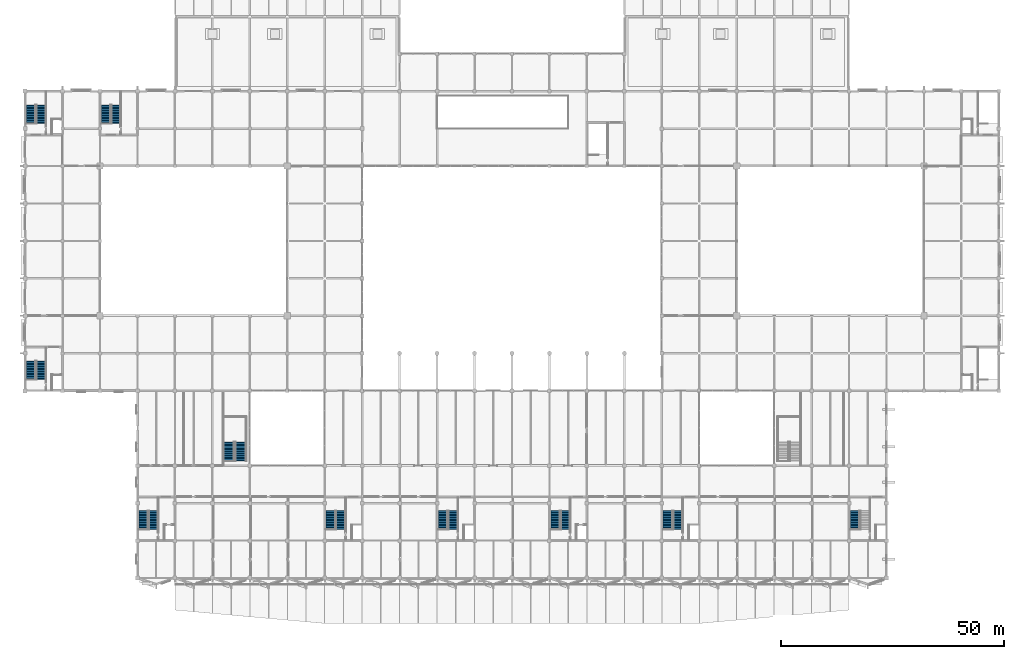
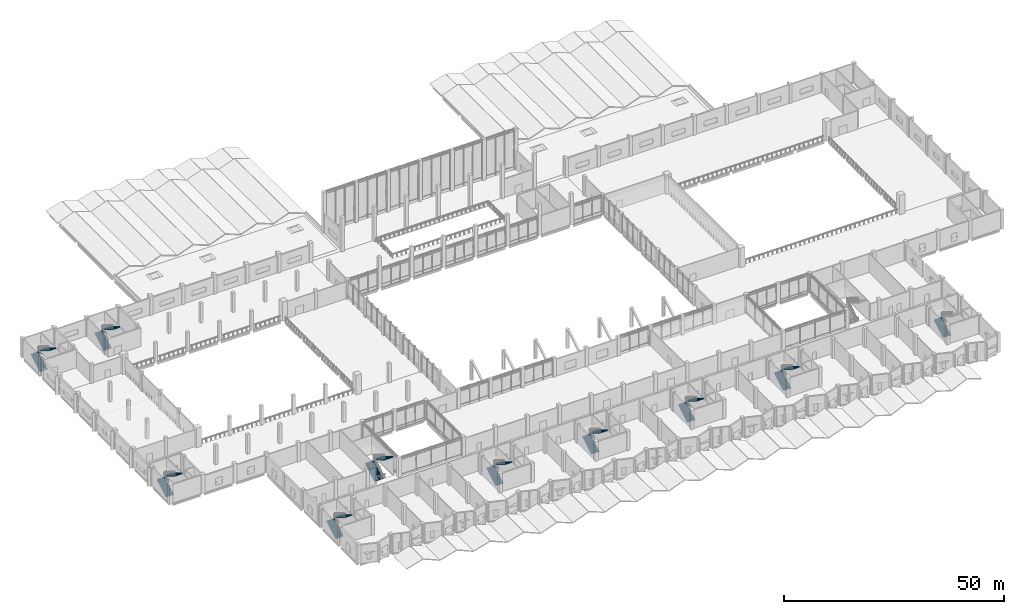
# One storey, part 61 of 72: 19 stair flights, 10 elements without a shape of their own.
"""IFC4 building model written with IfcOpenShell, lengths in metres."""

from ifc_helpers import new_model, si_unit, direction, frame, origin, place, context, subcontext, project, spatial, polyline, outline, extrude, material, type_object, element, aggregate, save


model = new_model("IFC4")

# Units and contexts
model_context = context("Model", 3, precision=1e-05, world=origin(), true_north=direction((0.0, 1.0)))
body_context = subcontext(model_context, "Body", "Model", "MODEL_VIEW")
ifc_project = project(units=[si_unit("LENGTHUNIT", "METRE"), si_unit("AREAUNIT", "SQUARE_METRE"), si_unit("VOLUMEUNIT", "CUBIC_METRE"), si_unit("PLANEANGLEUNIT", "RADIAN"), si_unit("MASSUNIT", "GRAM", prefix="KILO")], contexts=[model_context])

# Site, building, storey
site_placement = place(None, origin())
site = spatial("IfcSite", under=ifc_project, at=site_placement, CompositionType="ELEMENT")
building_placement = place(site_placement, origin())
building = spatial("IfcBuilding", under=site, at=building_placement, Name="Qawsi Khor Wholesale Market", CompositionType="ELEMENT")
storey_placement = place(building_placement, frame((0.0, 0.0, 6.0)))
storey = spatial("IfcBuildingStorey", under=building, at=storey_placement, Name="L01", CompositionType="ELEMENT", Elevation=6.0)

# Stair, stair flights
ifc_material = material(Name="Concrete C40/50", Category="concrete")
stair_type_1 = type_object("IfcStairType", Name="Atrium Feature Stair 5400 Rise", PredefinedType="HALF_TURN_STAIR", material=ifc_material)
stair_1_placement = place(storey_placement, origin())
stair_1 = element("IfcStair", 1, at=stair_1_placement, inside=storey, type_object=stair_type_1, Name="Atrium feature stair W L01", PredefinedType="HALF_TURN_STAIR")
stair_flight_type_1 = type_object("IfcStairFlightType", Name="Atrium Feature Flight 16R x 168.8 / 290G (2300w)", PredefinedType="STRAIGHT", material=ifc_material)
stair_flight_1_placement = place(storey_placement, frame((45.699951171875, 26.199951171875, 0.0), z_axis=(0.0, 0.0, 1.0), x_axis=(0.0, 1.0, 0.0)))
stair_flight_1 = element("IfcStairFlight", 2, at=stair_flight_1_placement, type_object=stair_flight_type_1, Name="ST-AW-1 flight 1", NumberOfRisers=16, NumberOfTreads=15, PredefinedType="STRAIGHT", RiserHeight=0.16875, TreadLength=0.29, context=body_context, shape_type="SweptSolid", body=[
    extrude(outline(polyline([(0.0, 0.0), (0.0, 0.168701171875), (0.2900390625, 0.168701171875), (0.2900390625, 0.33740234375), (0.580078125, 0.33740234375), (0.580078125, 0.50634765625), (0.8701171875, 0.50634765625), (0.8701171875, 0.675048828125), (1.159912109375, 0.675048828125), (1.159912109375, 0.84375), (1.449951171875, 0.84375), (1.449951171875, 1.012451171875), (1.739990234375, 1.012451171875), (1.739990234375, 1.18115234375), (2.030029296875, 1.18115234375), (2.030029296875, 1.35009765625), (2.320068359375, 1.35009765625), (2.320068359375, 1.518798828125), (2.610107421875, 1.518798828125), (2.610107421875, 1.6875), (2.89990234375, 1.6875), (2.89990234375, 1.856201171875), (3.18994140625, 1.856201171875), (3.18994140625, 2.02490234375), (3.47998046875, 2.02490234375), (3.47998046875, 2.19384765625), (3.77001953125, 2.19384765625), (3.77001953125, 2.362548828125), (4.06005859375, 2.362548828125), (4.06005859375, 2.53125), (4.35009765625, 2.53125), (4.35009765625, 2.699951171875), (4.35009765625, 2.2998046875), (0.3974609375, 0.0), (0.0, 0.0)])), frame((0.0, 1.14990234375, 0.0), z_axis=(0.0, -1.0, 0.0), x_axis=(1.0, 0.0, 0.0)), (0.0, 0.0, 1.0), 2.300048828125),
])
stair_flight_2_placement = place(storey_placement, frame((48.300048828125, 30.550048828125, 2.699951171875), z_axis=(0.0, 0.0, 1.0), x_axis=(0.0, -1.0, 0.0)))
stair_flight_2 = element("IfcStairFlight", 3, at=stair_flight_2_placement, type_object=stair_flight_type_1, Name="ST-AW-1 flight 2", NumberOfRisers=16, NumberOfTreads=15, PredefinedType="STRAIGHT", RiserHeight=0.16875, TreadLength=0.29, context=body_context, shape_type="SweptSolid", body=[
    extrude(outline(polyline([(0.0, 0.0), (0.0, 0.168701171875), (0.2900390625, 0.168701171875), (0.2900390625, 0.33740234375), (0.580078125, 0.33740234375), (0.580078125, 0.50634765625), (0.8701171875, 0.50634765625), (0.8701171875, 0.675048828125), (1.159912109375, 0.675048828125), (1.159912109375, 0.84375), (1.449951171875, 0.84375), (1.449951171875, 1.012451171875), (1.739990234375, 1.012451171875), (1.739990234375, 1.18115234375), (2.030029296875, 1.18115234375), (2.030029296875, 1.35009765625), (2.320068359375, 1.35009765625), (2.320068359375, 1.518798828125), (2.610107421875, 1.518798828125), (2.610107421875, 1.6875), (2.89990234375, 1.6875), (2.89990234375, 1.856201171875), (3.18994140625, 1.856201171875), (3.18994140625, 2.02490234375), (3.47998046875, 2.02490234375), (3.47998046875, 2.19384765625), (3.77001953125, 2.19384765625), (3.77001953125, 2.362548828125), (4.06005859375, 2.362548828125), (4.06005859375, 2.53125), (4.35009765625, 2.53125), (4.35009765625, 2.699951171875), (4.35009765625, 2.2998046875), (0.3974609375, 0.0), (0.0, 0.0)])), frame((0.0, 1.14990234375, 0.0), z_axis=(0.0, -1.0, 0.0), x_axis=(1.0, 0.0, 0.0)), (0.0, 0.0, 1.0), 2.300048828125),
])
aggregate(stair_1, [stair_flight_1, stair_flight_2])

stair_type_2 = type_object("IfcStairType", Name="Exit Stair L01-L02 5400 Rise", PredefinedType="HALF_TURN_STAIR", material=ifc_material)
stair_2_placement = place(storey_placement, origin())
stair_2 = element("IfcStair", 4, at=stair_2_placement, inside=storey, type_object=stair_type_2, Name="Stair ST-01 L01", PredefinedType="HALF_TURN_STAIR")
stair_flight_type_2 = type_object("IfcStairFlightType", Name="Stair Flight 16R x 168.8 / 280G (2060w)", PredefinedType="STRAIGHT", material=ifc_material)
stair_flight_3_placement = place(storey_placement, frame((26.550048828125, 10.919921875, 0.0), z_axis=(0.0, 0.0, 1.0), x_axis=(0.0, 1.0, 0.0)))
stair_flight_3 = element("IfcStairFlight", 5, at=stair_flight_3_placement, type_object=stair_flight_type_2, Name="ST-01-L01 flight 1", NumberOfRisers=16, NumberOfTreads=15, PredefinedType="STRAIGHT", RiserHeight=0.16875, TreadLength=0.28, context=body_context, shape_type="SweptSolid", body=[
    extrude(outline(polyline([(0.0, 0.0), (0.0, 0.168701171875), (0.280029296875, 0.168701171875), (0.280029296875, 0.33740234375), (0.56005859375, 0.33740234375), (0.56005859375, 0.50634765625), (0.840087890625, 0.50634765625), (0.840087890625, 0.675048828125), (1.1201171875, 0.675048828125), (1.1201171875, 0.84375), (1.39990234375, 0.84375), (1.39990234375, 1.012451171875), (1.679931640625, 1.012451171875), (1.679931640625, 1.18115234375), (1.9599609375, 1.18115234375), (1.9599609375, 1.35009765625), (2.239990234375, 1.35009765625), (2.239990234375, 1.518798828125), (2.52001953125, 1.518798828125), (2.52001953125, 1.6875), (2.800048828125, 1.6875), (2.800048828125, 1.856201171875), (3.080078125, 1.856201171875), (3.080078125, 2.02490234375), (3.360107421875, 2.02490234375), (3.360107421875, 2.19384765625), (3.639892578125, 2.19384765625), (3.639892578125, 2.362548828125), (3.919921875, 2.362548828125), (3.919921875, 2.53125), (4.199951171875, 2.53125), (4.199951171875, 2.699951171875), (4.199951171875, 2.3212890625), (0.3486328125, 0.0), (0.0, 0.0)])), frame((0.0, 1.030029296875, 0.0), z_axis=(0.0, -1.0, 0.0), x_axis=(1.0, 0.0, 0.0)), (0.0, 0.0, 1.0), 2.06005859375),
])
stair_flight_4_placement = place(storey_placement, frame((28.7900390625, 15.1201171875, 2.699951171875), z_axis=(0.0, 0.0, 1.0), x_axis=(0.0, -1.0, 0.0)))
stair_flight_4 = element("IfcStairFlight", 6, at=stair_flight_4_placement, type_object=stair_flight_type_2, Name="ST-01-L01 flight 2", NumberOfRisers=16, NumberOfTreads=15, PredefinedType="STRAIGHT", RiserHeight=0.16875, TreadLength=0.28, context=body_context, shape_type="SweptSolid", body=[
    extrude(outline(polyline([(0.0, 0.0), (0.0, 0.168701171875), (0.280029296875, 0.168701171875), (0.280029296875, 0.33740234375), (0.56005859375, 0.33740234375), (0.56005859375, 0.50634765625), (0.840087890625, 0.50634765625), (0.840087890625, 0.675048828125), (1.1201171875, 0.675048828125), (1.1201171875, 0.84375), (1.39990234375, 0.84375), (1.39990234375, 1.012451171875), (1.679931640625, 1.012451171875), (1.679931640625, 1.18115234375), (1.9599609375, 1.18115234375), (1.9599609375, 1.35009765625), (2.239990234375, 1.35009765625), (2.239990234375, 1.518798828125), (2.52001953125, 1.518798828125), (2.52001953125, 1.6875), (2.800048828125, 1.6875), (2.800048828125, 1.856201171875), (3.080078125, 1.856201171875), (3.080078125, 2.02490234375), (3.360107421875, 2.02490234375), (3.360107421875, 2.19384765625), (3.639892578125, 2.19384765625), (3.639892578125, 2.362548828125), (3.919921875, 2.362548828125), (3.919921875, 2.53125), (4.199951171875, 2.53125), (4.199951171875, 2.699951171875), (4.199951171875, 2.3212890625), (0.3486328125, 0.0), (0.0, 0.0)])), frame((0.0, 1.030029296875, 0.0), z_axis=(0.0, -1.0, 0.0), x_axis=(1.0, 0.0, 0.0)), (0.0, 0.0, 1.0), 2.06005859375),
])
aggregate(stair_2, [stair_flight_3, stair_flight_4])

stair_3_placement = place(storey_placement, origin())
stair_3 = element("IfcStair", 7, at=stair_3_placement, inside=storey, type_object=stair_type_2, Name="Stair ST-02 L01", PredefinedType="HALF_TURN_STAIR")
stair_flight_5_placement = place(storey_placement, frame((68.550048828125, 10.919921875, 0.0), z_axis=(0.0, 0.0, 1.0), x_axis=(0.0, 1.0, 0.0)))
stair_flight_5 = element("IfcStairFlight", 8, at=stair_flight_5_placement, type_object=stair_flight_type_2, Name="ST-02-L01 flight 1", NumberOfRisers=16, NumberOfTreads=15, PredefinedType="STRAIGHT", RiserHeight=0.16875, TreadLength=0.28, context=body_context, shape_type="SweptSolid", body=[
    extrude(outline(polyline([(0.0, 0.0), (0.0, 0.168701171875), (0.280029296875, 0.168701171875), (0.280029296875, 0.33740234375), (0.56005859375, 0.33740234375), (0.56005859375, 0.50634765625), (0.840087890625, 0.50634765625), (0.840087890625, 0.675048828125), (1.1201171875, 0.675048828125), (1.1201171875, 0.84375), (1.39990234375, 0.84375), (1.39990234375, 1.012451171875), (1.679931640625, 1.012451171875), (1.679931640625, 1.18115234375), (1.9599609375, 1.18115234375), (1.9599609375, 1.35009765625), (2.239990234375, 1.35009765625), (2.239990234375, 1.518798828125), (2.52001953125, 1.518798828125), (2.52001953125, 1.6875), (2.800048828125, 1.6875), (2.800048828125, 1.856201171875), (3.080078125, 1.856201171875), (3.080078125, 2.02490234375), (3.360107421875, 2.02490234375), (3.360107421875, 2.19384765625), (3.639892578125, 2.19384765625), (3.639892578125, 2.362548828125), (3.919921875, 2.362548828125), (3.919921875, 2.53125), (4.199951171875, 2.53125), (4.199951171875, 2.699951171875), (4.199951171875, 2.3212890625), (0.3486328125, 0.0), (0.0, 0.0)])), frame((0.0, 1.030029296875, 0.0), z_axis=(0.0, -1.0, 0.0), x_axis=(1.0, 0.0, 0.0)), (0.0, 0.0, 1.0), 2.06005859375),
])
stair_flight_6_placement = place(storey_placement, frame((70.7900390625, 15.1201171875, 2.699951171875), z_axis=(0.0, 0.0, 1.0), x_axis=(0.0, -1.0, 0.0)))
stair_flight_6 = element("IfcStairFlight", 9, at=stair_flight_6_placement, type_object=stair_flight_type_2, Name="ST-02-L01 flight 2", NumberOfRisers=16, NumberOfTreads=15, PredefinedType="STRAIGHT", RiserHeight=0.16875, TreadLength=0.28, context=body_context, shape_type="SweptSolid", body=[
    extrude(outline(polyline([(0.0, 0.0), (0.0, 0.168701171875), (0.280029296875, 0.168701171875), (0.280029296875, 0.33740234375), (0.56005859375, 0.33740234375), (0.56005859375, 0.50634765625), (0.840087890625, 0.50634765625), (0.840087890625, 0.675048828125), (1.1201171875, 0.675048828125), (1.1201171875, 0.84375), (1.39990234375, 0.84375), (1.39990234375, 1.012451171875), (1.679931640625, 1.012451171875), (1.679931640625, 1.18115234375), (1.9599609375, 1.18115234375), (1.9599609375, 1.35009765625), (2.239990234375, 1.35009765625), (2.239990234375, 1.518798828125), (2.52001953125, 1.518798828125), (2.52001953125, 1.6875), (2.800048828125, 1.6875), (2.800048828125, 1.856201171875), (3.080078125, 1.856201171875), (3.080078125, 2.02490234375), (3.360107421875, 2.02490234375), (3.360107421875, 2.19384765625), (3.639892578125, 2.19384765625), (3.639892578125, 2.362548828125), (3.919921875, 2.362548828125), (3.919921875, 2.53125), (4.199951171875, 2.53125), (4.199951171875, 2.699951171875), (4.199951171875, 2.3212890625), (0.3486328125, 0.0), (0.0, 0.0)])), frame((0.0, 1.030029296875, 0.0), z_axis=(0.0, -1.0, 0.0), x_axis=(1.0, 0.0, 0.0)), (0.0, 0.0, 1.0), 2.06005859375),
])
aggregate(stair_3, [stair_flight_5, stair_flight_6])

stair_4_placement = place(storey_placement, origin())
stair_4 = element("IfcStair", 10, at=stair_4_placement, inside=storey, type_object=stair_type_2, Name="Stair ST-03 L01", PredefinedType="HALF_TURN_STAIR")
stair_flight_7_placement = place(storey_placement, frame((93.75, 10.919921875, 0.0), z_axis=(0.0, 0.0, 1.0), x_axis=(0.0, 1.0, 0.0)))
stair_flight_7 = element("IfcStairFlight", 11, at=stair_flight_7_placement, type_object=stair_flight_type_2, Name="ST-03-L01 flight 1", NumberOfRisers=16, NumberOfTreads=15, PredefinedType="STRAIGHT", RiserHeight=0.16875, TreadLength=0.28, context=body_context, shape_type="SweptSolid", body=[
    extrude(outline(polyline([(0.0, 0.0), (0.0, 0.168701171875), (0.280029296875, 0.168701171875), (0.280029296875, 0.33740234375), (0.56005859375, 0.33740234375), (0.56005859375, 0.50634765625), (0.840087890625, 0.50634765625), (0.840087890625, 0.675048828125), (1.1201171875, 0.675048828125), (1.1201171875, 0.84375), (1.39990234375, 0.84375), (1.39990234375, 1.012451171875), (1.679931640625, 1.012451171875), (1.679931640625, 1.18115234375), (1.9599609375, 1.18115234375), (1.9599609375, 1.35009765625), (2.239990234375, 1.35009765625), (2.239990234375, 1.518798828125), (2.52001953125, 1.518798828125), (2.52001953125, 1.6875), (2.800048828125, 1.6875), (2.800048828125, 1.856201171875), (3.080078125, 1.856201171875), (3.080078125, 2.02490234375), (3.360107421875, 2.02490234375), (3.360107421875, 2.19384765625), (3.639892578125, 2.19384765625), (3.639892578125, 2.362548828125), (3.919921875, 2.362548828125), (3.919921875, 2.53125), (4.199951171875, 2.53125), (4.199951171875, 2.699951171875), (4.199951171875, 2.3212890625), (0.3486328125, 0.0), (0.0, 0.0)])), frame((0.0, 1.030029296875, 0.0), z_axis=(0.0, -1.0, 0.0), x_axis=(1.0, 0.0, 0.0)), (0.0, 0.0, 1.0), 2.06005859375),
])
stair_flight_8_placement = place(storey_placement, frame((95.989990234375, 15.1201171875, 2.699951171875), z_axis=(0.0, 0.0, 1.0), x_axis=(0.0, -1.0, 0.0)))
stair_flight_8 = element("IfcStairFlight", 12, at=stair_flight_8_placement, type_object=stair_flight_type_2, Name="ST-03-L01 flight 2", NumberOfRisers=16, NumberOfTreads=15, PredefinedType="STRAIGHT", RiserHeight=0.16875, TreadLength=0.28, context=body_context, shape_type="SweptSolid", body=[
    extrude(outline(polyline([(0.0, 0.0), (0.0, 0.168701171875), (0.280029296875, 0.168701171875), (0.280029296875, 0.33740234375), (0.56005859375, 0.33740234375), (0.56005859375, 0.50634765625), (0.840087890625, 0.50634765625), (0.840087890625, 0.675048828125), (1.1201171875, 0.675048828125), (1.1201171875, 0.84375), (1.39990234375, 0.84375), (1.39990234375, 1.012451171875), (1.679931640625, 1.012451171875), (1.679931640625, 1.18115234375), (1.9599609375, 1.18115234375), (1.9599609375, 1.35009765625), (2.239990234375, 1.35009765625), (2.239990234375, 1.518798828125), (2.52001953125, 1.518798828125), (2.52001953125, 1.6875), (2.800048828125, 1.6875), (2.800048828125, 1.856201171875), (3.080078125, 1.856201171875), (3.080078125, 2.02490234375), (3.360107421875, 2.02490234375), (3.360107421875, 2.19384765625), (3.639892578125, 2.19384765625), (3.639892578125, 2.362548828125), (3.919921875, 2.362548828125), (3.919921875, 2.53125), (4.199951171875, 2.53125), (4.199951171875, 2.699951171875), (4.199951171875, 2.3212890625), (0.3486328125, 0.0), (0.0, 0.0)])), frame((0.0, 1.030029296875, 0.0), z_axis=(0.0, -1.0, 0.0), x_axis=(1.0, 0.0, 0.0)), (0.0, 0.0, 1.0), 2.06005859375),
])
aggregate(stair_4, [stair_flight_7, stair_flight_8])

stair_5_placement = place(storey_placement, origin())
stair_5 = element("IfcStair", 13, at=stair_5_placement, inside=storey, type_object=stair_type_2, Name="Stair ST-04 L01", PredefinedType="HALF_TURN_STAIR")
stair_flight_9_placement = place(storey_placement, frame((118.949951171875, 10.919921875, 0.0), z_axis=(0.0, 0.0, 1.0), x_axis=(0.0, 1.0, 0.0)))
stair_flight_9 = element("IfcStairFlight", 14, at=stair_flight_9_placement, type_object=stair_flight_type_2, Name="ST-04-L01 flight 1", NumberOfRisers=16, NumberOfTreads=15, PredefinedType="STRAIGHT", RiserHeight=0.16875, TreadLength=0.28, context=body_context, shape_type="SweptSolid", body=[
    extrude(outline(polyline([(0.0, 0.0), (0.0, 0.168701171875), (0.280029296875, 0.168701171875), (0.280029296875, 0.33740234375), (0.56005859375, 0.33740234375), (0.56005859375, 0.50634765625), (0.840087890625, 0.50634765625), (0.840087890625, 0.675048828125), (1.1201171875, 0.675048828125), (1.1201171875, 0.84375), (1.39990234375, 0.84375), (1.39990234375, 1.012451171875), (1.679931640625, 1.012451171875), (1.679931640625, 1.18115234375), (1.9599609375, 1.18115234375), (1.9599609375, 1.35009765625), (2.239990234375, 1.35009765625), (2.239990234375, 1.518798828125), (2.52001953125, 1.518798828125), (2.52001953125, 1.6875), (2.800048828125, 1.6875), (2.800048828125, 1.856201171875), (3.080078125, 1.856201171875), (3.080078125, 2.02490234375), (3.360107421875, 2.02490234375), (3.360107421875, 2.19384765625), (3.639892578125, 2.19384765625), (3.639892578125, 2.362548828125), (3.919921875, 2.362548828125), (3.919921875, 2.53125), (4.199951171875, 2.53125), (4.199951171875, 2.699951171875), (4.199951171875, 2.3212890625), (0.3486328125, 0.0), (0.0, 0.0)])), frame((0.0, 1.030029296875, 0.0), z_axis=(0.0, -1.0, 0.0), x_axis=(1.0, 0.0, 0.0)), (0.0, 0.0, 1.0), 2.06005859375),
])
stair_flight_10_placement = place(storey_placement, frame((121.18994140625, 15.1201171875, 2.699951171875), z_axis=(0.0, 0.0, 1.0), x_axis=(0.0, -1.0, 0.0)))
stair_flight_10 = element("IfcStairFlight", 15, at=stair_flight_10_placement, type_object=stair_flight_type_2, Name="ST-04-L01 flight 2", NumberOfRisers=16, NumberOfTreads=15, PredefinedType="STRAIGHT", RiserHeight=0.16875, TreadLength=0.28, context=body_context, shape_type="SweptSolid", body=[
    extrude(outline(polyline([(0.0, 0.0), (0.0, 0.168701171875), (0.280029296875, 0.168701171875), (0.280029296875, 0.33740234375), (0.56005859375, 0.33740234375), (0.56005859375, 0.50634765625), (0.840087890625, 0.50634765625), (0.840087890625, 0.675048828125), (1.1201171875, 0.675048828125), (1.1201171875, 0.84375), (1.39990234375, 0.84375), (1.39990234375, 1.012451171875), (1.679931640625, 1.012451171875), (1.679931640625, 1.18115234375), (1.9599609375, 1.18115234375), (1.9599609375, 1.35009765625), (2.239990234375, 1.35009765625), (2.239990234375, 1.518798828125), (2.52001953125, 1.518798828125), (2.52001953125, 1.6875), (2.800048828125, 1.6875), (2.800048828125, 1.856201171875), (3.080078125, 1.856201171875), (3.080078125, 2.02490234375), (3.360107421875, 2.02490234375), (3.360107421875, 2.19384765625), (3.639892578125, 2.19384765625), (3.639892578125, 2.362548828125), (3.919921875, 2.362548828125), (3.919921875, 2.53125), (4.199951171875, 2.53125), (4.199951171875, 2.699951171875), (4.199951171875, 2.3212890625), (0.3486328125, 0.0), (0.0, 0.0)])), frame((0.0, 1.030029296875, 0.0), z_axis=(0.0, -1.0, 0.0), x_axis=(1.0, 0.0, 0.0)), (0.0, 0.0, 1.0), 2.06005859375),
])
aggregate(stair_5, [stair_flight_9, stair_flight_10])

stair_6_placement = place(storey_placement, origin())
stair_6 = element("IfcStair", 16, at=stair_6_placement, inside=storey, type_object=stair_type_2, Name="Stair ST-05 L01", PredefinedType="HALF_TURN_STAIR")
stair_flight_11_placement = place(storey_placement, frame((144.14990234375, 10.919921875, 0.0), z_axis=(0.0, 0.0, 1.0), x_axis=(0.0, 1.0, 0.0)))
stair_flight_11 = element("IfcStairFlight", 17, at=stair_flight_11_placement, type_object=stair_flight_type_2, Name="ST-05-L01 flight 1", NumberOfRisers=16, NumberOfTreads=15, PredefinedType="STRAIGHT", RiserHeight=0.16875, TreadLength=0.28, context=body_context, shape_type="SweptSolid", body=[
    extrude(outline(polyline([(0.0, 0.0), (0.0, 0.168701171875), (0.280029296875, 0.168701171875), (0.280029296875, 0.33740234375), (0.56005859375, 0.33740234375), (0.56005859375, 0.50634765625), (0.840087890625, 0.50634765625), (0.840087890625, 0.675048828125), (1.1201171875, 0.675048828125), (1.1201171875, 0.84375), (1.39990234375, 0.84375), (1.39990234375, 1.012451171875), (1.679931640625, 1.012451171875), (1.679931640625, 1.18115234375), (1.9599609375, 1.18115234375), (1.9599609375, 1.35009765625), (2.239990234375, 1.35009765625), (2.239990234375, 1.518798828125), (2.52001953125, 1.518798828125), (2.52001953125, 1.6875), (2.800048828125, 1.6875), (2.800048828125, 1.856201171875), (3.080078125, 1.856201171875), (3.080078125, 2.02490234375), (3.360107421875, 2.02490234375), (3.360107421875, 2.19384765625), (3.639892578125, 2.19384765625), (3.639892578125, 2.362548828125), (3.919921875, 2.362548828125), (3.919921875, 2.53125), (4.199951171875, 2.53125), (4.199951171875, 2.699951171875), (4.199951171875, 2.3212890625), (0.3486328125, 0.0), (0.0, 0.0)])), frame((0.0, 1.030029296875, 0.0), z_axis=(0.0, -1.0, 0.0), x_axis=(1.0, 0.0, 0.0)), (0.0, 0.0, 1.0), 2.06005859375),
])
stair_flight_12_placement = place(storey_placement, frame((146.389892578125, 15.1201171875, 2.699951171875), z_axis=(0.0, 0.0, 1.0), x_axis=(0.0, -1.0, 0.0)))
stair_flight_12 = element("IfcStairFlight", 18, at=stair_flight_12_placement, type_object=stair_flight_type_2, Name="ST-05-L01 flight 2", NumberOfRisers=16, NumberOfTreads=15, PredefinedType="STRAIGHT", RiserHeight=0.16875, TreadLength=0.28, context=body_context, shape_type="SweptSolid", body=[
    extrude(outline(polyline([(0.0, 0.0), (0.0, 0.168701171875), (0.280029296875, 0.168701171875), (0.280029296875, 0.33740234375), (0.56005859375, 0.33740234375), (0.56005859375, 0.50634765625), (0.840087890625, 0.50634765625), (0.840087890625, 0.675048828125), (1.1201171875, 0.675048828125), (1.1201171875, 0.84375), (1.39990234375, 0.84375), (1.39990234375, 1.012451171875), (1.679931640625, 1.012451171875), (1.679931640625, 1.18115234375), (1.9599609375, 1.18115234375), (1.9599609375, 1.35009765625), (2.239990234375, 1.35009765625), (2.239990234375, 1.518798828125), (2.52001953125, 1.518798828125), (2.52001953125, 1.6875), (2.800048828125, 1.6875), (2.800048828125, 1.856201171875), (3.080078125, 1.856201171875), (3.080078125, 2.02490234375), (3.360107421875, 2.02490234375), (3.360107421875, 2.19384765625), (3.639892578125, 2.19384765625), (3.639892578125, 2.362548828125), (3.919921875, 2.362548828125), (3.919921875, 2.53125), (4.199951171875, 2.53125), (4.199951171875, 2.699951171875), (4.199951171875, 2.3212890625), (0.3486328125, 0.0), (0.0, 0.0)])), frame((0.0, 1.030029296875, 0.0), z_axis=(0.0, -1.0, 0.0), x_axis=(1.0, 0.0, 0.0)), (0.0, 0.0, 1.0), 2.06005859375),
])
aggregate(stair_6, [stair_flight_11, stair_flight_12])

# Stair, stair flight
stair_7_placement = place(storey_placement, origin())
stair_7 = element("IfcStair", 19, at=stair_7_placement, inside=storey, type_object=stair_type_2, Name="Stair ST-06 L01", PredefinedType="HALF_TURN_STAIR")
stair_flight_13_placement = place(storey_placement, frame((186.14990234375, 10.919921875, 0.0), z_axis=(0.0, 0.0, 1.0), x_axis=(0.0, 1.0, 0.0)))
stair_flight_13 = element("IfcStairFlight", 20, at=stair_flight_13_placement, type_object=stair_flight_type_2, Name="ST-06-L01 flight 1", NumberOfRisers=16, NumberOfTreads=15, PredefinedType="STRAIGHT", RiserHeight=0.16875, TreadLength=0.28, context=body_context, shape_type="SweptSolid", body=[
    extrude(outline(polyline([(0.0, 0.0), (0.0, 0.168701171875), (0.280029296875, 0.168701171875), (0.280029296875, 0.33740234375), (0.56005859375, 0.33740234375), (0.56005859375, 0.50634765625), (0.840087890625, 0.50634765625), (0.840087890625, 0.675048828125), (1.1201171875, 0.675048828125), (1.1201171875, 0.84375), (1.39990234375, 0.84375), (1.39990234375, 1.012451171875), (1.679931640625, 1.012451171875), (1.679931640625, 1.18115234375), (1.9599609375, 1.18115234375), (1.9599609375, 1.35009765625), (2.239990234375, 1.35009765625), (2.239990234375, 1.518798828125), (2.52001953125, 1.518798828125), (2.52001953125, 1.6875), (2.800048828125, 1.6875), (2.800048828125, 1.856201171875), (3.080078125, 1.856201171875), (3.080078125, 2.02490234375), (3.360107421875, 2.02490234375), (3.360107421875, 2.19384765625), (3.639892578125, 2.19384765625), (3.639892578125, 2.362548828125), (3.919921875, 2.362548828125), (3.919921875, 2.53125), (4.199951171875, 2.53125), (4.199951171875, 2.699951171875), (4.199951171875, 2.3212890625), (0.3486328125, 0.0), (0.0, 0.0)])), frame((0.0, 1.030029296875, 0.0), z_axis=(0.0, -1.0, 0.0), x_axis=(1.0, 0.0, 0.0)), (0.0, 0.0, 1.0), 2.06005859375),
])
aggregate(stair_7, [stair_flight_13])

# Stair, stair flights
stair_8_placement = place(storey_placement, origin())
stair_8 = element("IfcStair", 21, at=stair_8_placement, inside=storey, type_object=stair_type_2, Name="Stair ST-07 L01", PredefinedType="HALF_TURN_STAIR")
stair_flight_14_placement = place(storey_placement, frame((1.35009765625, 44.52001953125, 0.0), z_axis=(0.0, 0.0, 1.0), x_axis=(0.0, 1.0, 0.0)))
stair_flight_14 = element("IfcStairFlight", 22, at=stair_flight_14_placement, type_object=stair_flight_type_2, Name="ST-07-L01 flight 1", NumberOfRisers=16, NumberOfTreads=15, PredefinedType="STRAIGHT", RiserHeight=0.16875, TreadLength=0.28, context=body_context, shape_type="SweptSolid", body=[
    extrude(outline(polyline([(0.0, 0.0), (0.0, 0.168701171875), (0.280029296875, 0.168701171875), (0.280029296875, 0.33740234375), (0.56005859375, 0.33740234375), (0.56005859375, 0.50634765625), (0.840087890625, 0.50634765625), (0.840087890625, 0.675048828125), (1.1201171875, 0.675048828125), (1.1201171875, 0.84375), (1.39990234375, 0.84375), (1.39990234375, 1.012451171875), (1.679931640625, 1.012451171875), (1.679931640625, 1.18115234375), (1.9599609375, 1.18115234375), (1.9599609375, 1.35009765625), (2.239990234375, 1.35009765625), (2.239990234375, 1.518798828125), (2.52001953125, 1.518798828125), (2.52001953125, 1.6875), (2.800048828125, 1.6875), (2.800048828125, 1.856201171875), (3.080078125, 1.856201171875), (3.080078125, 2.02490234375), (3.360107421875, 2.02490234375), (3.360107421875, 2.19384765625), (3.639892578125, 2.19384765625), (3.639892578125, 2.362548828125), (3.919921875, 2.362548828125), (3.919921875, 2.53125), (4.199951171875, 2.53125), (4.199951171875, 2.699951171875), (4.199951171875, 2.3212890625), (0.3486328125, 0.0), (0.0, 0.0)])), frame((0.0, 1.030029296875, 0.0), z_axis=(0.0, -1.0, 0.0), x_axis=(1.0, 0.0, 0.0)), (0.0, 0.0, 1.0), 2.06005859375),
])
stair_flight_15_placement = place(storey_placement, frame((3.590087890625, 48.719970703125, 2.699951171875), z_axis=(0.0, 0.0, 1.0), x_axis=(0.0, -1.0, 0.0)))
stair_flight_15 = element("IfcStairFlight", 23, at=stair_flight_15_placement, type_object=stair_flight_type_2, Name="ST-07-L01 flight 2", NumberOfRisers=16, NumberOfTreads=15, PredefinedType="STRAIGHT", RiserHeight=0.16875, TreadLength=0.28, context=body_context, shape_type="SweptSolid", body=[
    extrude(outline(polyline([(0.0, 0.0), (0.0, 0.168701171875), (0.280029296875, 0.168701171875), (0.280029296875, 0.33740234375), (0.56005859375, 0.33740234375), (0.56005859375, 0.50634765625), (0.840087890625, 0.50634765625), (0.840087890625, 0.675048828125), (1.1201171875, 0.675048828125), (1.1201171875, 0.84375), (1.39990234375, 0.84375), (1.39990234375, 1.012451171875), (1.679931640625, 1.012451171875), (1.679931640625, 1.18115234375), (1.9599609375, 1.18115234375), (1.9599609375, 1.35009765625), (2.239990234375, 1.35009765625), (2.239990234375, 1.518798828125), (2.52001953125, 1.518798828125), (2.52001953125, 1.6875), (2.800048828125, 1.6875), (2.800048828125, 1.856201171875), (3.080078125, 1.856201171875), (3.080078125, 2.02490234375), (3.360107421875, 2.02490234375), (3.360107421875, 2.19384765625), (3.639892578125, 2.19384765625), (3.639892578125, 2.362548828125), (3.919921875, 2.362548828125), (3.919921875, 2.53125), (4.199951171875, 2.53125), (4.199951171875, 2.699951171875), (4.199951171875, 2.3212890625), (0.3486328125, 0.0), (0.0, 0.0)])), frame((0.0, 1.030029296875, 0.0), z_axis=(0.0, -1.0, 0.0), x_axis=(1.0, 0.0, 0.0)), (0.0, 0.0, 1.0), 2.06005859375),
])
aggregate(stair_8, [stair_flight_14, stair_flight_15])

stair_9_placement = place(storey_placement, origin())
stair_9 = element("IfcStair", 24, at=stair_9_placement, inside=storey, type_object=stair_type_2, Name="Stair ST-08 L01", PredefinedType="HALF_TURN_STAIR")
stair_flight_16_placement = place(storey_placement, frame((1.35009765625, 101.919921875, 0.0), z_axis=(0.0, 0.0, 1.0), x_axis=(0.0, 1.0, 0.0)))
stair_flight_16 = element("IfcStairFlight", 25, at=stair_flight_16_placement, type_object=stair_flight_type_2, Name="ST-08-L01 flight 1", NumberOfRisers=16, NumberOfTreads=15, PredefinedType="STRAIGHT", RiserHeight=0.16875, TreadLength=0.28, context=body_context, shape_type="SweptSolid", body=[
    extrude(outline(polyline([(0.0, 0.0), (0.0, 0.168701171875), (0.280029296875, 0.168701171875), (0.280029296875, 0.33740234375), (0.56005859375, 0.33740234375), (0.56005859375, 0.50634765625), (0.840087890625, 0.50634765625), (0.840087890625, 0.675048828125), (1.1201171875, 0.675048828125), (1.1201171875, 0.84375), (1.39990234375, 0.84375), (1.39990234375, 1.012451171875), (1.679931640625, 1.012451171875), (1.679931640625, 1.18115234375), (1.9599609375, 1.18115234375), (1.9599609375, 1.35009765625), (2.239990234375, 1.35009765625), (2.239990234375, 1.518798828125), (2.52001953125, 1.518798828125), (2.52001953125, 1.6875), (2.800048828125, 1.6875), (2.800048828125, 1.856201171875), (3.080078125, 1.856201171875), (3.080078125, 2.02490234375), (3.360107421875, 2.02490234375), (3.360107421875, 2.19384765625), (3.639892578125, 2.19384765625), (3.639892578125, 2.362548828125), (3.919921875, 2.362548828125), (3.919921875, 2.53125), (4.199951171875, 2.53125), (4.199951171875, 2.699951171875), (4.199951171875, 2.3212890625), (0.3486328125, 0.0), (0.0, 0.0)])), frame((0.0, 1.030029296875, 0.0), z_axis=(0.0, -1.0, 0.0), x_axis=(1.0, 0.0, 0.0)), (0.0, 0.0, 1.0), 2.06005859375),
])
stair_flight_17_placement = place(storey_placement, frame((3.590087890625, 106.1201171875, 2.699951171875), z_axis=(0.0, 0.0, 1.0), x_axis=(0.0, -1.0, 0.0)))
stair_flight_17 = element("IfcStairFlight", 26, at=stair_flight_17_placement, type_object=stair_flight_type_2, Name="ST-08-L01 flight 2", NumberOfRisers=16, NumberOfTreads=15, PredefinedType="STRAIGHT", RiserHeight=0.16875, TreadLength=0.28, context=body_context, shape_type="SweptSolid", body=[
    extrude(outline(polyline([(0.0, 0.0), (0.0, 0.168701171875), (0.280029296875, 0.168701171875), (0.280029296875, 0.33740234375), (0.56005859375, 0.33740234375), (0.56005859375, 0.50634765625), (0.840087890625, 0.50634765625), (0.840087890625, 0.675048828125), (1.1201171875, 0.675048828125), (1.1201171875, 0.84375), (1.39990234375, 0.84375), (1.39990234375, 1.012451171875), (1.679931640625, 1.012451171875), (1.679931640625, 1.18115234375), (1.9599609375, 1.18115234375), (1.9599609375, 1.35009765625), (2.239990234375, 1.35009765625), (2.239990234375, 1.518798828125), (2.52001953125, 1.518798828125), (2.52001953125, 1.6875), (2.800048828125, 1.6875), (2.800048828125, 1.856201171875), (3.080078125, 1.856201171875), (3.080078125, 2.02490234375), (3.360107421875, 2.02490234375), (3.360107421875, 2.19384765625), (3.639892578125, 2.19384765625), (3.639892578125, 2.362548828125), (3.919921875, 2.362548828125), (3.919921875, 2.53125), (4.199951171875, 2.53125), (4.199951171875, 2.699951171875), (4.199951171875, 2.3212890625), (0.3486328125, 0.0), (0.0, 0.0)])), frame((0.0, 1.030029296875, 0.0), z_axis=(0.0, -1.0, 0.0), x_axis=(1.0, 0.0, 0.0)), (0.0, 0.0, 1.0), 2.06005859375),
])
aggregate(stair_9, [stair_flight_16, stair_flight_17])

stair_10_placement = place(storey_placement, origin())
stair_10 = element("IfcStair", 27, at=stair_10_placement, inside=storey, type_object=stair_type_2, Name="Stair ST-09 L01", PredefinedType="HALF_TURN_STAIR")
stair_flight_18_placement = place(storey_placement, frame((18.14990234375, 101.919921875, 0.0), z_axis=(0.0, 0.0, 1.0), x_axis=(0.0, 1.0, 0.0)))
stair_flight_18 = element("IfcStairFlight", 28, at=stair_flight_18_placement, type_object=stair_flight_type_2, Name="ST-09-L01 flight 1", NumberOfRisers=16, NumberOfTreads=15, PredefinedType="STRAIGHT", RiserHeight=0.16875, TreadLength=0.28, context=body_context, shape_type="SweptSolid", body=[
    extrude(outline(polyline([(0.0, 0.0), (0.0, 0.168701171875), (0.280029296875, 0.168701171875), (0.280029296875, 0.33740234375), (0.56005859375, 0.33740234375), (0.56005859375, 0.50634765625), (0.840087890625, 0.50634765625), (0.840087890625, 0.675048828125), (1.1201171875, 0.675048828125), (1.1201171875, 0.84375), (1.39990234375, 0.84375), (1.39990234375, 1.012451171875), (1.679931640625, 1.012451171875), (1.679931640625, 1.18115234375), (1.9599609375, 1.18115234375), (1.9599609375, 1.35009765625), (2.239990234375, 1.35009765625), (2.239990234375, 1.518798828125), (2.52001953125, 1.518798828125), (2.52001953125, 1.6875), (2.800048828125, 1.6875), (2.800048828125, 1.856201171875), (3.080078125, 1.856201171875), (3.080078125, 2.02490234375), (3.360107421875, 2.02490234375), (3.360107421875, 2.19384765625), (3.639892578125, 2.19384765625), (3.639892578125, 2.362548828125), (3.919921875, 2.362548828125), (3.919921875, 2.53125), (4.199951171875, 2.53125), (4.199951171875, 2.699951171875), (4.199951171875, 2.3212890625), (0.3486328125, 0.0), (0.0, 0.0)])), frame((0.0, 1.030029296875, 0.0), z_axis=(0.0, -1.0, 0.0), x_axis=(1.0, 0.0, 0.0)), (0.0, 0.0, 1.0), 2.06005859375),
])
stair_flight_19_placement = place(storey_placement, frame((20.389892578125, 106.1201171875, 2.699951171875), z_axis=(0.0, 0.0, 1.0), x_axis=(0.0, -1.0, 0.0)))
stair_flight_19 = element("IfcStairFlight", 29, at=stair_flight_19_placement, type_object=stair_flight_type_2, Name="ST-09-L01 flight 2", NumberOfRisers=16, NumberOfTreads=15, PredefinedType="STRAIGHT", RiserHeight=0.16875, TreadLength=0.28, context=body_context, shape_type="SweptSolid", body=[
    extrude(outline(polyline([(0.0, 0.0), (0.0, 0.168701171875), (0.280029296875, 0.168701171875), (0.280029296875, 0.33740234375), (0.56005859375, 0.33740234375), (0.56005859375, 0.50634765625), (0.840087890625, 0.50634765625), (0.840087890625, 0.675048828125), (1.1201171875, 0.675048828125), (1.1201171875, 0.84375), (1.39990234375, 0.84375), (1.39990234375, 1.012451171875), (1.679931640625, 1.012451171875), (1.679931640625, 1.18115234375), (1.9599609375, 1.18115234375), (1.9599609375, 1.35009765625), (2.239990234375, 1.35009765625), (2.239990234375, 1.518798828125), (2.52001953125, 1.518798828125), (2.52001953125, 1.6875), (2.800048828125, 1.6875), (2.800048828125, 1.856201171875), (3.080078125, 1.856201171875), (3.080078125, 2.02490234375), (3.360107421875, 2.02490234375), (3.360107421875, 2.19384765625), (3.639892578125, 2.19384765625), (3.639892578125, 2.362548828125), (3.919921875, 2.362548828125), (3.919921875, 2.53125), (4.199951171875, 2.53125), (4.199951171875, 2.699951171875), (4.199951171875, 2.3212890625), (0.3486328125, 0.0), (0.0, 0.0)])), frame((0.0, 1.030029296875, 0.0), z_axis=(0.0, -1.0, 0.0), x_axis=(1.0, 0.0, 0.0)), (0.0, 0.0, 1.0), 2.06005859375),
])
aggregate(stair_10, [stair_flight_18, stair_flight_19])

save(model, "model.ifc")
